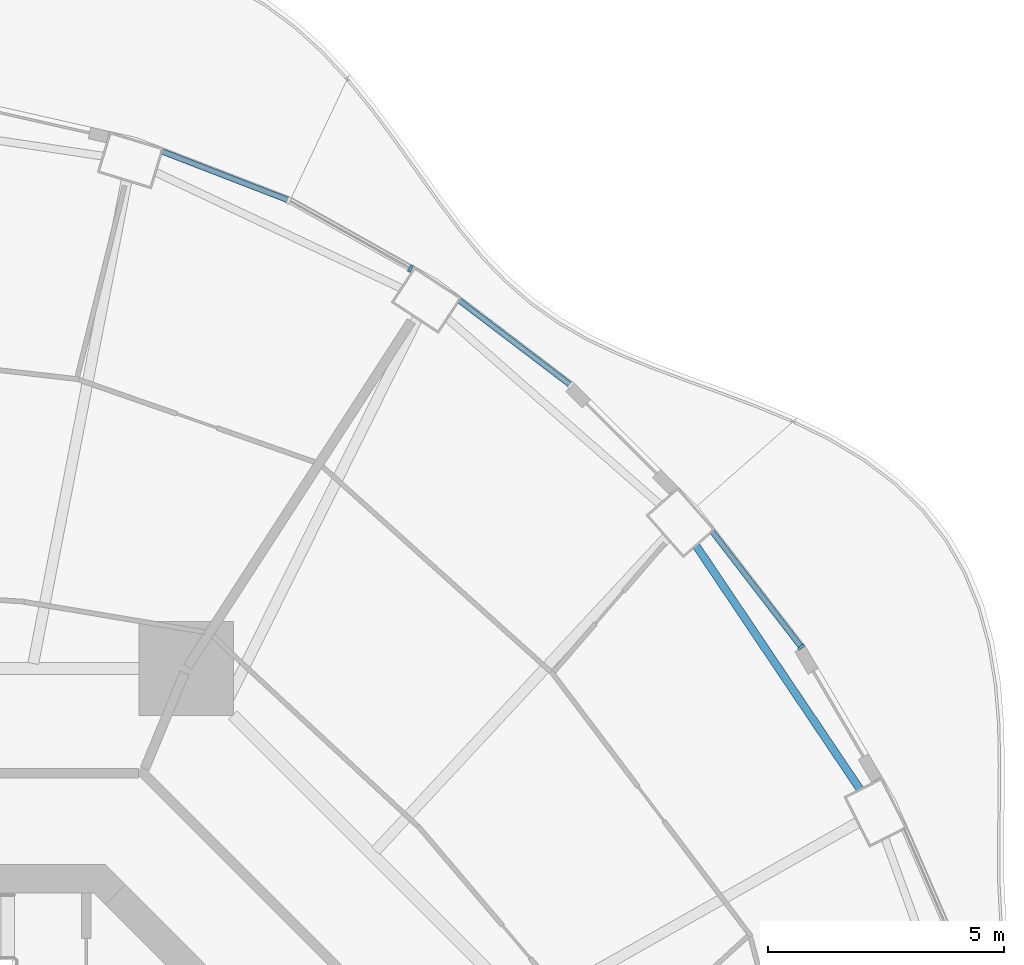
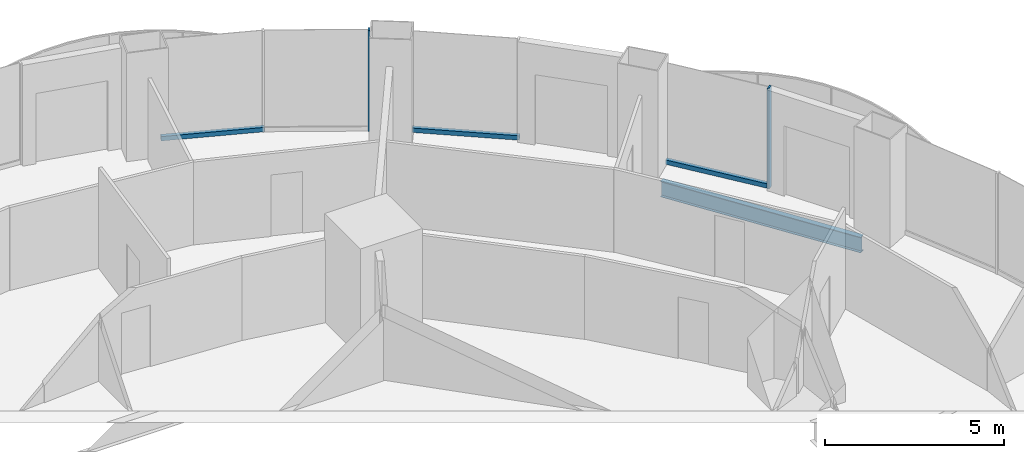
# One storey, part 9 of 20: 5 members, 1 beam, 4 elements without a shape of their own.
"""IFC4 building model written with IfcOpenShell, lengths in metres."""

from ifc_helpers import new_model, si_unit, direction, frame, origin, origin_2d, place, context, subcontext, project, spatial, rectangle, i_section, extrude, material, layer, layer_set, material_profile, profile_set, type_object, element, aggregate, save


model = new_model("IFC4")

# Units and contexts
model_context = context("Model", 3, precision=1e-05, world=origin(), true_north=direction((0.0, 1.0)))
body_context = subcontext(model_context, "Body", "Model", "MODEL_VIEW")
ifc_project = project(units=[si_unit("LENGTHUNIT", "METRE"), si_unit("AREAUNIT", "SQUARE_METRE"), si_unit("VOLUMEUNIT", "CUBIC_METRE"), si_unit("PLANEANGLEUNIT", "RADIAN"), si_unit("MASSUNIT", "GRAM", prefix="KILO")], contexts=[model_context])

# Site, building, storey
site_placement = place(None, origin())
site = spatial("IfcSite", under=ifc_project, at=site_placement, CompositionType="ELEMENT")
building_placement = place(site_placement, origin())
building = spatial("IfcBuilding", under=site, at=building_placement, Name="Nagisa Residences", CompositionType="ELEMENT")
storey_placement = place(building_placement, frame((0.0, 0.0, 145.5)))
storey = spatial("IfcBuildingStorey", under=building, at=storey_placement, Name="L36", CompositionType="ELEMENT", Elevation=145.5)

# Curtain wall, member
ifc_material_1 = material(Name="Concrete-coloured aluminium curtain wall system", Category="concrete")
ifc_layer = layer(ifc_material_1, 0.159912109375)
ifc_layer_set = layer_set([ifc_layer], Name="CW1 CURTAIN WALL")
curtain_wall_type = type_object("IfcCurtainWallType", Name="CW1 CURTAIN WALL", PredefinedType="NOTDEFINED", material=ifc_layer_set)
curtain_wall_1_placement = place(storey_placement, origin())
curtain_wall_1 = element("IfcCurtainWall", 1, at=curtain_wall_1_placement, inside=storey, type_object=curtain_wall_type, Name="cw:CW1:L36:05", PredefinedType="NOTDEFINED")
ifc_material_2 = material(Name="Concrete-coloured aluminium", Category="concrete")
ifc_material_profile_1 = material_profile(ifc_material_2, rectangle(XDim=0.159912109375, YDim=0.06005859375, at=origin_2d()), Name="CW1 MULLION 160x60")
ifc_profile_set_1 = profile_set([ifc_material_profile_1], Name="Concrete-coloured aluminium")
member_type_1 = type_object("IfcMemberType", Name="CW1 MULLION 160x60", PredefinedType="MULLION", material=ifc_profile_set_1)
member_1_placement = place(storey_placement, frame((19.169921875, 15.23876953125, 0.0), z_axis=(0.0, 0.0, 1.0), x_axis=(-0.792070340816, -0.610429828235, 0.0)))
member_1 = element("IfcMember", 2, at=member_1_placement, type_object=member_type_1, Name="CW1 mullion", PredefinedType="MULLION", context=body_context, shape_type="SweptSolid", body=[
    extrude(rectangle(XDim=0.159912109375, YDim=0.06005859375, at=origin_2d()), origin(), (0.0, 0.0, 1.0), 3.43994140625),
])

curtain_wall_2_placement = place(storey_placement, origin())
curtain_wall_2 = element("IfcCurtainWall", 3, at=curtain_wall_2_placement, inside=storey, type_object=curtain_wall_type, Name="cw:CW1:L36:08", PredefinedType="NOTDEFINED")
member_2_placement = place(storey_placement, frame((10.87890625, 23.2705078125, 0.0), z_axis=(0.0, 0.0, 1.0), x_axis=(-0.489376918501, -0.872072377523, 0.0)))
member_2 = element("IfcMember", 4, at=member_2_placement, type_object=member_type_1, Name="CW1 mullion", PredefinedType="MULLION", context=body_context, shape_type="SweptSolid", body=[
    extrude(rectangle(XDim=0.159912109375, YDim=0.06005859375, at=origin_2d()), origin(), (0.0, 0.0, 1.0), 3.43994140625),
])
aggregate(curtain_wall_2, [member_2])

# Member
ifc_material_3 = material(Name="Concrete-coloured aluminium", Category="concrete")
ifc_material_profile_2 = material_profile(ifc_material_3, rectangle(XDim=0.1201171875, YDim=0.14990234375, at=origin_2d()), Name="CW1 TRANSOM 120x150")
ifc_profile_set_2 = profile_set([ifc_material_profile_2], Name="Concrete-coloured aluminium")
member_type_2 = type_object("IfcMemberType", Name="CW1 TRANSOM 120x150", PredefinedType="USERDEFINED", material=ifc_profile_set_2)
member_3_placement = place(storey_placement, frame((19.188232421875, 15.215087890625, 0.074951171875), z_axis=(-0.610467332273, 0.792041435928, 0.0), x_axis=(-0.792041435928, -0.610467332273, 0.0)))
member_3 = element("IfcMember", 5, at=member_3_placement, type_object=member_type_2, Name="CW1 transom", ObjectType="TRANSOM", PredefinedType="USERDEFINED", context=body_context, shape_type="SweptSolid", body=[
    extrude(rectangle(XDim=0.1201171875, YDim=0.14990234375, at=origin_2d()), origin(), (0.0, 0.0, 1.0), 3.14892578125),
])

aggregate(curtain_wall_1, [member_1, member_3])

# Curtain wall, member
curtain_wall_3_placement = place(storey_placement, origin())
curtain_wall_3 = element("IfcCurtainWall", 6, at=curtain_wall_3_placement, inside=storey, type_object=curtain_wall_type, Name="cw:CW1:L36:07", PredefinedType="NOTDEFINED")
member_4_placement = place(storey_placement, frame((14.30517578125, 20.77392578125, 0.074951171875), z_axis=(-0.796022231079, 0.605267385233, 0.0), x_axis=(-0.605267385233, -0.796022231079, 0.0)))
member_4 = element("IfcMember", 7, at=member_4_placement, type_object=member_type_2, Name="CW1 transom", ObjectType="TRANSOM", PredefinedType="USERDEFINED", context=body_context, shape_type="SweptSolid", body=[
    extrude(rectangle(XDim=0.1201171875, YDim=0.14990234375, at=origin_2d()), origin(), (0.0, 0.0, 1.0), 3.025634765625),
])
aggregate(curtain_wall_3, [member_4])

curtain_wall_4_placement = place(storey_placement, origin())
curtain_wall_4 = element("IfcCurtainWall", 8, at=curtain_wall_4_placement, inside=storey, type_object=curtain_wall_type, Name="cw:CW1:L36:09", PredefinedType="NOTDEFINED")
member_5_placement = place(storey_placement, frame((8.32568359375, 24.704345703125, 0.074951171875), z_axis=(-0.932845344347, 0.360277064952, 0.0), x_axis=(-0.360277064952, -0.932845344347, 0.0)))
member_5 = element("IfcMember", 9, at=member_5_placement, type_object=member_type_2, Name="CW1 transom", ObjectType="TRANSOM", PredefinedType="USERDEFINED", context=body_context, shape_type="SweptSolid", body=[
    extrude(rectangle(XDim=0.1201171875, YDim=0.14990234375, at=origin_2d()), origin(), (0.0, 0.0, 1.0), 2.92333984375),
])
aggregate(curtain_wall_4, [member_5])

# Beam
ifc_material_4 = material(Name="Steel ASTM A572 Gr 50", Category="steel")
ifc_material_profile_3 = material_profile(ifc_material_4, i_section(OverallWidth=0.166015625, OverallDepth=0.534912109375, WebThickness=0.01025390625, FlangeThickness=0.0166015625, at=origin_2d()), Name="W530x85")
ifc_profile_set_3 = profile_set([ifc_material_profile_3], Name="Steel ASTM A572 Gr 50")
beam_type = type_object("IfcBeamType", Name="Perimeter ring beam W530x85", PredefinedType="BEAM", material=ifc_profile_set_3)
beam_placement = place(storey_placement, frame((20.420654296875, 12.21484375, -0.527587890625), z_axis=(-0.558187951157, 0.82971453596, 0.0), x_axis=(-0.82971453596, -0.558187951157, 0.0)))
element("IfcBeam", 10, at=beam_placement, inside=storey, type_object=beam_type, Name="beam:L36:pb03", PredefinedType="BEAM", context=body_context, shape_type="SweptSolid", body=[
    extrude(i_section(OverallWidth=0.166015625, OverallDepth=0.534912109375, WebThickness=0.01025390625, FlangeThickness=0.0166015625, at=origin_2d()), origin(), (0.0, 0.0, 1.0), 6.24267578125),
])

save(model, "model.ifc")
